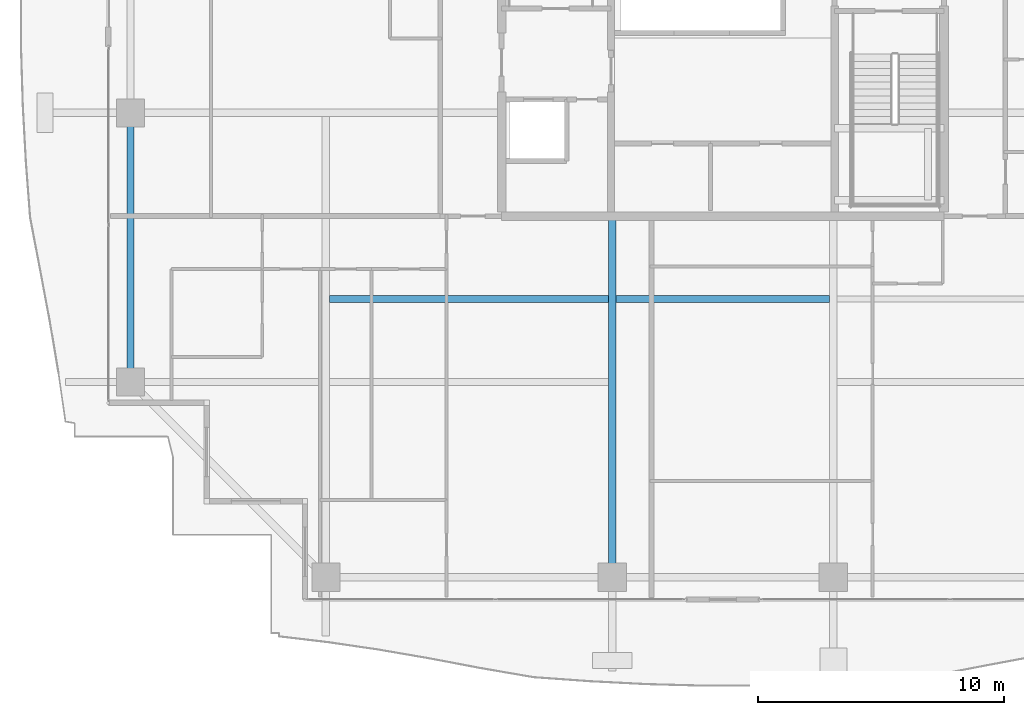
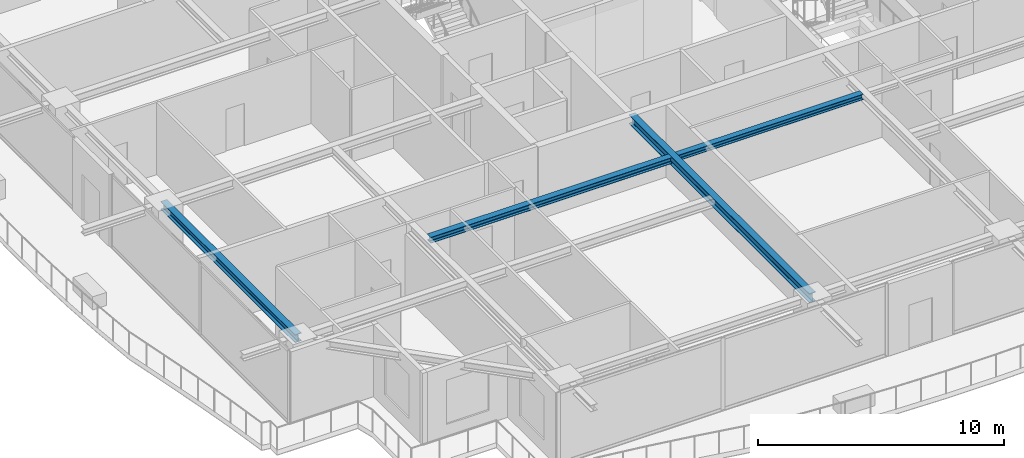
# One storey, part 6 of 35: 4 beams.
"""IFC4 building model written with IfcOpenShell, lengths in metres."""

from ifc_helpers import new_model, si_unit, direction, frame, origin, origin_2d, place, context, subcontext, project, spatial, i_section, extrude, source, transform, mapped, material, material_profile, profile_set, type_object, element, save


model = new_model("IFC4")

# Units and contexts
model_context = context("Model", 3, precision=1e-05, world=origin(), true_north=direction((0.0, 1.0)))
body_context = subcontext(model_context, "Body", "Model", "MODEL_VIEW")
ifc_project = project(units=[si_unit("LENGTHUNIT", "METRE"), si_unit("AREAUNIT", "SQUARE_METRE"), si_unit("VOLUMEUNIT", "CUBIC_METRE"), si_unit("PLANEANGLEUNIT", "RADIAN"), si_unit("MASSUNIT", "GRAM", prefix="KILO")], contexts=[model_context])

# Site, building, storey
site_placement = place(None, origin())
site = spatial("IfcSite", under=ifc_project, at=site_placement, CompositionType="ELEMENT")
building_placement = place(site_placement, origin())
building = spatial("IfcBuilding", under=site, at=building_placement, Name="Serunith Strait Residences", CompositionType="ELEMENT")
storey_placement = place(building_placement, frame((0.0, 0.0, 210.449951171875)))
storey = spatial("IfcBuildingStorey", under=building, at=storey_placement, Name="L52", CompositionType="ELEMENT", Elevation=210.449951171875)

# Beams
ifc_material = material(Name="Steel S355J2", Category="steel")
ifc_material_profile_1 = material_profile(ifc_material, i_section(OverallWidth=0.280029296875, OverallDepth=0.280029296875, WebThickness=0.010498046875, FlangeThickness=0.01806640625, FilletRadius=0.02392578125, at=origin_2d()), Name="HEB 280")
ifc_profile_set_1 = profile_set([ifc_material_profile_1], Name="Steel S355J2")
beam_type_1 = type_object("IfcBeamType", Name="BM-HEB280", PredefinedType="JOIST", material=ifc_profile_set_1)
shared_shape_1 = source(origin(), body_context, "Body", "SweptSolid", [
    extrude(i_section(OverallWidth=0.280029296875, OverallDepth=0.280029296875, WebThickness=0.010498046875, FlangeThickness=0.01806640625, FilletRadius=0.02392578125, at=origin_2d()), origin(), (0.0, 0.0, 1.0), 8.699951171875),
])
beam_1_placement = place(storey_placement, frame((28.050048828125, 13.425048828125, 3.447021484375), z_axis=(1.0, 0.0, 0.0), x_axis=(0.0, 1.0, 0.0)))
element("IfcBeam", 1, at=beam_1_placement, inside=storey, type_object=beam_type_1, Name="L52 Composite Floor Joist 02", PredefinedType="JOIST", context=body_context, shape_type="MappedRepresentation", body=[
    mapped(shared_shape_1, transform((0.0, 0.0, 0.0), scale=1.0)),
])
ifc_material_profile_2 = material_profile(ifc_material, i_section(OverallWidth=0.300048828125, OverallDepth=0.449951171875, WebThickness=0.013916015625, FlangeThickness=0.02587890625, FilletRadius=0.027099609375, at=origin_2d()), Name="HEB 450")
ifc_profile_set_2 = profile_set([ifc_material_profile_2], Name="Steel S355J2")
beam_type_2 = type_object("IfcBeamType", Name="BM-HEB450", PredefinedType="BEAM", material=ifc_profile_set_2)
shared_shape_2 = source(origin(), body_context, "Body", "SweptSolid", [
    extrude(i_section(OverallWidth=0.300048828125, OverallDepth=0.449951171875, WebThickness=0.013916015625, FlangeThickness=0.02587890625, FilletRadius=0.027099609375, at=origin_2d()), origin(), (0.0, 0.0, 1.0), 14.699951171875),
])
beam_2_placement = place(storey_placement, frame((27.89990234375, 16.800048828125, 3.362060546875), z_axis=(0.0, -1.0, 0.0), x_axis=(1.0, 0.0, 0.0)))
element("IfcBeam", 2, at=beam_2_placement, inside=storey, type_object=beam_type_2, Name="L52 Primary Floor Girder TC-S2", PredefinedType="BEAM", context=body_context, shape_type="MappedRepresentation", body=[
    mapped(shared_shape_2, transform((0.0, 0.0, 0.0), scale=1.0)),
])
ifc_material_profile_3 = material_profile(ifc_material, i_section(OverallWidth=0.300048828125, OverallDepth=0.39990234375, WebThickness=0.013427734375, FlangeThickness=0.02392578125, FilletRadius=0.027099609375, at=origin_2d()), Name="HEB 400")
ifc_profile_set_3 = profile_set([ifc_material_profile_3], Name="Steel S355J2")
beam_type_3 = type_object("IfcBeamType", Name="BM-HEB400", PredefinedType="BEAM", material=ifc_profile_set_3)
shared_shape_3 = source(origin(), body_context, "Body", "SweptSolid", [
    extrude(i_section(OverallWidth=0.300048828125, OverallDepth=0.39990234375, WebThickness=0.013427734375, FlangeThickness=0.02392578125, FilletRadius=0.027099609375, at=origin_2d()), origin(), (0.0, 0.0, 1.0), 10.949951171875),
])
beam_3_placement = place(storey_placement, frame((8.300048828125, 21.0, 3.386962890625), z_axis=(0.0, -1.0, 0.0), x_axis=(1.0, 0.0, 0.0)))
element("IfcBeam", 3, at=beam_3_placement, inside=storey, type_object=beam_type_3, Name="L52 Perimeter Ring Beam 15", PredefinedType="BEAM", context=body_context, shape_type="MappedRepresentation", body=[
    mapped(shared_shape_3, transform((0.0, 0.0, 0.0), scale=1.0)),
])
ifc_material_profile_4 = material_profile(ifc_material, i_section(OverallWidth=0.300048828125, OverallDepth=0.300048828125, WebThickness=0.010986328125, FlangeThickness=0.01904296875, FilletRadius=0.027099609375, at=origin_2d()), Name="HEB 300")
ifc_profile_set_4 = profile_set([ifc_material_profile_4], Name="Steel S355J2")
beam_type_4 = type_object("IfcBeamType", Name="BM-HEB300", PredefinedType="JOIST", material=ifc_profile_set_4)
shared_shape_4 = source(origin(), body_context, "Body", "SweptSolid", [
    extrude(i_section(OverallWidth=0.300048828125, OverallDepth=0.300048828125, WebThickness=0.010986328125, FlangeThickness=0.01904296875, FilletRadius=0.027099609375, at=origin_2d()), origin(), (0.0, 0.0, 1.0), 11.35009765625),
])
beam_4_placement = place(storey_placement, frame((16.39990234375, 13.425048828125, 3.43701171875), z_axis=(1.0, 0.0, 0.0), x_axis=(0.0, 1.0, 0.0)))
element("IfcBeam", 4, at=beam_4_placement, inside=storey, type_object=beam_type_4, Name="L52 Composite Floor Joist 01", PredefinedType="JOIST", context=body_context, shape_type="MappedRepresentation", body=[
    mapped(shared_shape_4, transform((0.0, 0.0, 0.0), scale=1.0)),
])

save(model, "model.ifc")
